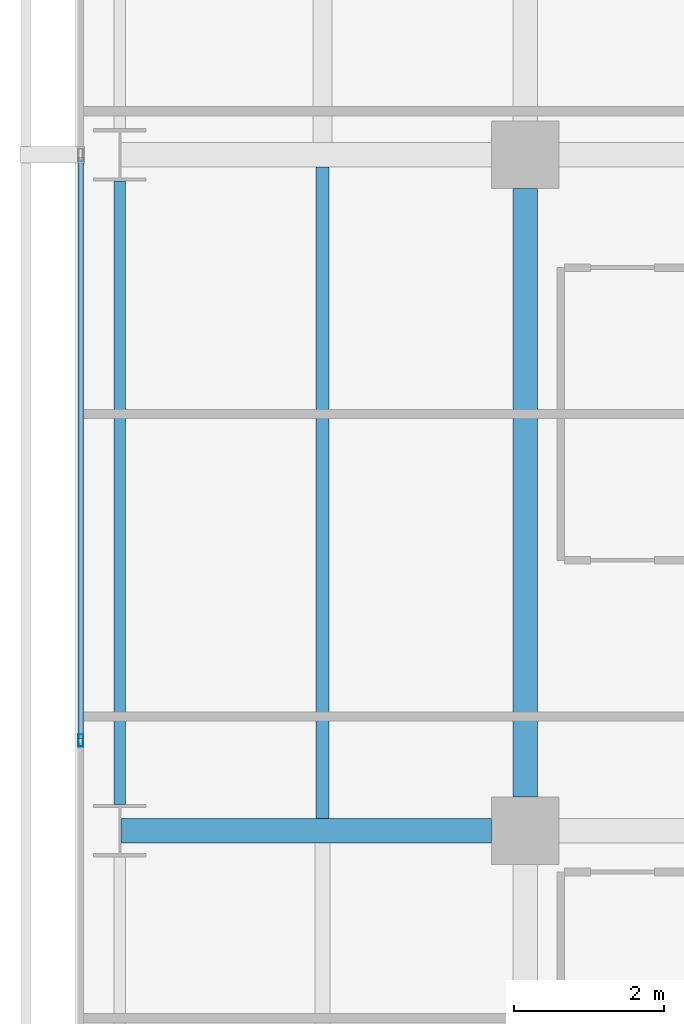
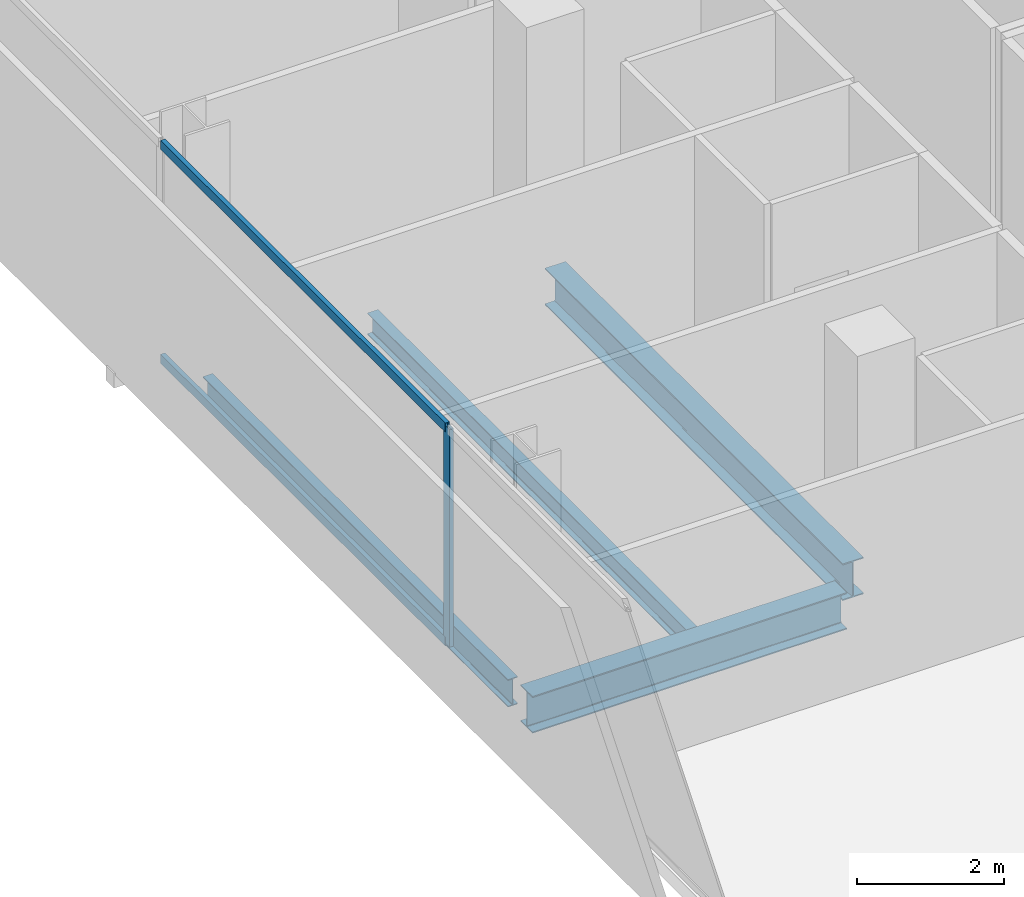
# One storey, part 10 of 41: 4 beams, 3 members, 1 element without a shape of its own.
"""IFC4 building model written with IfcOpenShell, lengths in metres."""

from ifc_helpers import new_model, si_unit, direction, frame, origin, origin_2d, place, context, subcontext, project, spatial, hollow_rectangle, i_section, extrude, material, layer, layer_set, material_profile, profile_set, type_object, element, aggregate, save


model = new_model("IFC4")

# Units and contexts
model_context = context("Model", 3, precision=1e-05, world=origin(), true_north=direction((0.0, 1.0)))
body_context = subcontext(model_context, "Body", "Model", "MODEL_VIEW")
ifc_project = project(units=[si_unit("LENGTHUNIT", "METRE"), si_unit("AREAUNIT", "SQUARE_METRE"), si_unit("VOLUMEUNIT", "CUBIC_METRE"), si_unit("PLANEANGLEUNIT", "RADIAN"), si_unit("MASSUNIT", "GRAM", prefix="KILO")], contexts=[model_context])

# Site, building, storey
site_placement = place(None, origin())
site = spatial("IfcSite", under=ifc_project, at=site_placement, CompositionType="ELEMENT")
building_placement = place(site_placement, origin())
building = spatial("IfcBuilding", under=site, at=building_placement, Name="Maruvema Waterfront Hotel and Observation Tower", CompositionType="ELEMENT")
storey_placement = place(building_placement, frame((0.0, 0.0, 84.699951171875)))
storey = spatial("IfcBuildingStorey", under=building, at=storey_placement, Name="L20", CompositionType="ELEMENT", Elevation=84.699951171875)

# Curtain wall, members
ifc_material_1 = material(Name="Anodised bronze aluminium and solar-control low-E IGU", Category="aluminium")
ifc_layer = layer(ifc_material_1, 0.159912109375, Name="Zone 1 Bronze Inner Thermal Curtain Wall System CW-02")
ifc_layer_set = layer_set([ifc_layer], Name="Anodised bronze aluminium and solar-control low-E IGU")
curtain_wall_type = type_object("IfcCurtainWallType", Name="Zone 1 Bronze Inner Thermal Curtain Wall System CW-02", PredefinedType="USERDEFINED", material=ifc_layer_set)
curtain_wall_placement = place(storey_placement, origin())
curtain_wall = element("IfcCurtainWall", 1, at=curtain_wall_placement, inside=storey, type_object=curtain_wall_type, Name="L20 Curtain Wall CW-L20-W", ObjectType="UNITISED CURTAIN WALL", PredefinedType="USERDEFINED")
ifc_material_2 = material(Name="Anodised architectural bronze aluminium", Category="aluminium")
ifc_material_profile_1 = material_profile(ifc_material_2, hollow_rectangle(XDim=0.070068359375, YDim=0.14990234375, WallThickness=0.00390625, at=origin_2d()), Name="ALU-T70x150")
ifc_profile_set_1 = profile_set([ifc_material_profile_1], Name="Anodised architectural bronze aluminium")
member_type_1 = type_object("IfcMemberType", Name="Curtain Wall Horizontal Transom ALU-T70x150", PredefinedType="USERDEFINED", material=ifc_profile_set_1)
member_1_placement = place(storey_placement, frame((10.8798828125, 26.969970703125, 0.030029296875), z_axis=(0.0, -1.0, 0.0), x_axis=(1.0, 0.0, 0.0)))
member_1 = element("IfcMember", 2, at=member_1_placement, type_object=member_type_1, Name="CW-02 transom 4.1", ObjectType="TRANSOM", PredefinedType="USERDEFINED", context=body_context, shape_type="SweptSolid", body=[
    extrude(hollow_rectangle(XDim=0.070068359375, YDim=0.14990234375, WallThickness=0.00390625, at=origin_2d()), origin(), (0.0, 0.0, 1.0), 7.739990234375),
])
member_2_placement = place(storey_placement, frame((10.8798828125, 26.969970703125, 3.580078125), z_axis=(0.0, -1.0, 0.0), x_axis=(1.0, 0.0, 0.0)))
member_2 = element("IfcMember", 3, at=member_2_placement, type_object=member_type_1, Name="CW-02 transom 4.2", ObjectType="TRANSOM", PredefinedType="USERDEFINED", context=body_context, shape_type="SweptSolid", body=[
    extrude(hollow_rectangle(XDim=0.070068359375, YDim=0.14990234375, WallThickness=0.00390625, at=origin_2d()), origin(), (0.0, 0.0, 1.0), 7.739990234375),
])
ifc_material_3 = material(Name="Anodised architectural bronze aluminium", Category="aluminium")
ifc_material_profile_2 = material_profile(ifc_material_3, hollow_rectangle(XDim=0.06494140625, YDim=0.1650390625, WallThickness=0.00390625, at=origin_2d()), Name="ALU-M65x165")
ifc_profile_set_2 = profile_set([ifc_material_profile_2], Name="Anodised architectural bronze aluminium")
member_type_2 = type_object("IfcMemberType", Name="Curtain Wall Primary Mullion ALU-M65x165", PredefinedType="MULLION", material=ifc_profile_set_2)
member_3_placement = place(storey_placement, frame((10.8798828125, 19.199951171875, 0.0), z_axis=(0.0, 0.0, 1.0), x_axis=(1.0, 0.0, 0.0)))
member_3 = element("IfcMember", 4, at=member_3_placement, type_object=member_type_2, Name="CW-02 mullion 5", PredefinedType="MULLION", context=body_context, shape_type="SweptSolid", body=[
    extrude(hollow_rectangle(XDim=0.06494140625, YDim=0.1650390625, WallThickness=0.00390625, at=origin_2d()), origin(), (0.0, 0.0, 1.0), 3.610107421875),
])
aggregate(curtain_wall, [member_3, member_1, member_2])

# Beams
ifc_material_4 = material(Name="Steel ASTM A572 Grade 50", Category="steel")
ifc_material_profile_3 = material_profile(ifc_material_4, i_section(OverallWidth=0.153076171875, OverallDepth=0.455078125, WebThickness=0.008056640625, FlangeThickness=0.01318359375, FilletRadius=0.014892578125, at=origin_2d()), Name="W460x60.0")
ifc_profile_set_3 = profile_set([ifc_material_profile_3], Name="Steel ASTM A572 Grade 50")
beam_type_1 = type_object("IfcBeamType", Name="Perimeter Spandrel Beam W460x60.0", PredefinedType="SPANDREL", material=ifc_profile_set_3)
beam_1_placement = place(storey_placement, frame((11.39990234375, 18.35009765625, -0.467529296875), z_axis=(0.0, 1.0, 0.0), x_axis=(-1.0, 0.0, 0.0)))
element("IfcBeam", 5, at=beam_1_placement, inside=storey, type_object=beam_type_1, Name="L20 Floor Girder NS-02", PredefinedType="SPANDREL", context=body_context, shape_type="SweptSolid", body=[
    extrude(i_section(OverallWidth=0.153076171875, OverallDepth=0.455078125, WebThickness=0.008056640625, FlangeThickness=0.01318359375, FilletRadius=0.014892578125, at=origin_2d()), origin(), (0.0, 0.0, 1.0), 8.2998046875),
])
ifc_material_5 = material(Name="Steel ASTM A572 Grade 50", Category="steel")
ifc_material_profile_4 = material_profile(ifc_material_5, i_section(OverallWidth=0.323974609375, OverallDepth=0.611083984375, WebThickness=0.0126953125, FlangeThickness=0.01904296875, FilletRadius=0.01806640625, at=origin_2d()), Name="W610x155.0")
ifc_profile_set_4 = profile_set([ifc_material_profile_4], Name="Steel ASTM A572 Grade 50")
beam_type_2 = type_object("IfcBeamType", Name="Primary Floor Girder W610x155.0", PredefinedType="BEAM", material=ifc_profile_set_4)
beam_2_placement = place(storey_placement, frame((11.4140625, 18.0, -0.54541015625), z_axis=(1.0, 0.0, 0.0), x_axis=(0.0, 1.0, 0.0)))
element("IfcBeam", 6, at=beam_2_placement, inside=storey, type_object=beam_type_2, Name="L20 Floor Girder EW-13", PredefinedType="BEAM", context=body_context, shape_type="SweptSolid", body=[
    extrude(i_section(OverallWidth=0.323974609375, OverallDepth=0.611083984375, WebThickness=0.0126953125, FlangeThickness=0.01904296875, FilletRadius=0.01806640625, at=origin_2d()), origin(), (0.0, 0.0, 1.0), 4.93603515625),
])
beam_3_placement = place(storey_placement, frame((16.800048828125, 18.449951171875, -0.54541015625), z_axis=(0.0, 1.0, 0.0), x_axis=(-1.0, 0.0, 0.0)))
element("IfcBeam", 7, at=beam_3_placement, inside=storey, type_object=beam_type_2, Name="L20 Floor Girder NS-07", PredefinedType="BEAM", context=body_context, shape_type="SweptSolid", body=[
    extrude(i_section(OverallWidth=0.323974609375, OverallDepth=0.611083984375, WebThickness=0.0126953125, FlangeThickness=0.01904296875, FilletRadius=0.01806640625, at=origin_2d()), origin(), (0.0, 0.0, 1.0), 8.10009765625),
])
ifc_material_6 = material(Name="Steel ASTM A572 Grade 50", Category="steel")
ifc_material_profile_5 = material_profile(ifc_material_6, i_section(OverallWidth=0.1708984375, OverallDepth=0.35498046875, WebThickness=0.007080078125, FlangeThickness=0.01171875, FilletRadius=0.014892578125, at=origin_2d()), Name="W360x51.0")
ifc_profile_set_5 = profile_set([ifc_material_profile_5], Name="Steel ASTM A572 Grade 50")
beam_type_3 = type_object("IfcBeamType", Name="Secondary Floor Joist W360x51.0", PredefinedType="JOIST", material=ifc_profile_set_5)
beam_4_placement = place(storey_placement, frame((14.10009765625, 18.162109375, -0.41748046875), z_axis=(0.0, 1.0, 0.0), x_axis=(-1.0, 0.0, 0.0)))
element("IfcBeam", 8, at=beam_4_placement, inside=storey, type_object=beam_type_3, Name="L20 Secondary Floor Joist JS-02", PredefinedType="JOIST", context=body_context, shape_type="SweptSolid", body=[
    extrude(i_section(OverallWidth=0.1708984375, OverallDepth=0.35498046875, WebThickness=0.007080078125, FlangeThickness=0.01171875, FilletRadius=0.014892578125, at=origin_2d()), origin(), (0.0, 0.0, 1.0), 8.67578125),
])

save(model, "model.ifc")
